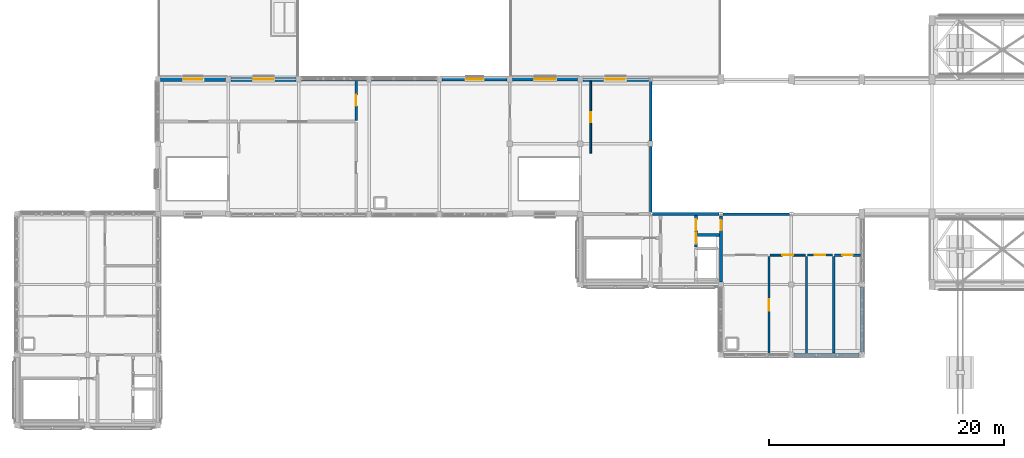
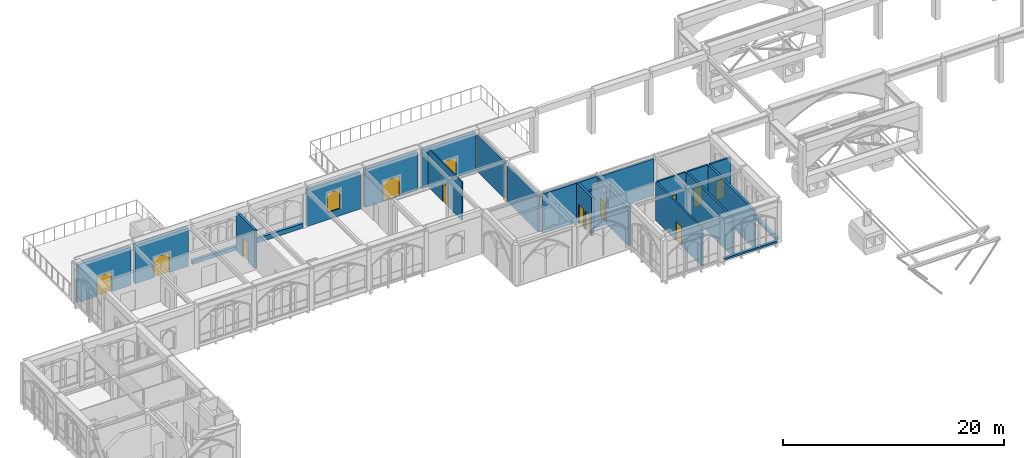
# One storey, part 42 of 59: 24 walls, 13 doors, 1 window, 14 openings.
"""IFC4 building model written with IfcOpenShell, lengths in metres."""

from ifc_helpers import new_model, si_unit, direction, frame, frame_2d, origin, place, context, subcontext, project, spatial, rectangle, extrude, material, layer, layer_set, type_object, element, fill, save


model = new_model("IFC4")

# Units and contexts
model_context = context("Model", 3, precision=1e-05, world=origin(), true_north=direction((0.0, 1.0)))
body_context = subcontext(model_context, "Body", "Model", "MODEL_VIEW")
ifc_project = project(units=[si_unit("LENGTHUNIT", "METRE"), si_unit("AREAUNIT", "SQUARE_METRE"), si_unit("VOLUMEUNIT", "CUBIC_METRE"), si_unit("PLANEANGLEUNIT", "RADIAN"), si_unit("MASSUNIT", "GRAM", prefix="KILO")], contexts=[model_context])

# Site, building, storey
site_placement = place(None, origin())
site = spatial("IfcSite", under=ifc_project, at=site_placement, CompositionType="ELEMENT")
building_placement = place(site_placement, origin())
building = spatial("IfcBuilding", under=site, at=building_placement, Name="Cumevento Cable Car Station", CompositionType="ELEMENT")
storey_placement = place(building_placement, frame((0.0, 0.0, 18.0)))
storey = spatial("IfcBuildingStorey", under=building, at=storey_placement, Name="L05", CompositionType="ELEMENT", Elevation=18.0)

# Wall, opening, window
ifc_material_1 = material(Name="Gnaisse Facoidal Stone Ashlar 85 MPa", Category="masonry")
ifc_layer_1 = layer(ifc_material_1, 0.280029296875)
ifc_layer_set_1 = layer_set([ifc_layer_1], Name="Gnaisse Facoidal Stone Ashlar 85 MPa")
wall_type_1 = type_object("IfcWallType", Name="Exterior Envelope Wall EW-280 280", PredefinedType="SOLIDWALL", material=ifc_layer_set_1)
wall_1_placement = place(storey_placement, frame((46.22509765625, 56.5, 0.0), z_axis=(0.0, 0.0, 1.0), x_axis=(1.0, 0.0, 0.0)))
wall_1 = element("IfcWall", 1, at=wall_1_placement, inside=storey, type_object=wall_type_1, Name="Exterior Wall EW-280 L05 #404", PredefinedType="SOLIDWALL", context=body_context, shape_type="SweptSolid", body=[
    extrude(rectangle(XDim=5.5498046875, YDim=0.280029296875, at=frame_2d((2.77490234375, 0.0))), origin(), (0.0, 0.0, 1.0), 4.093017578125),
])
opening_1_placement = place(wall_1_placement, frame((2.10009765625, 0.0, 0.800048828125)))
opening_1 = element("IfcOpeningElement", 2, at=opening_1_placement, cuts=wall_1, Name="Opening WN-L05-102", PredefinedType="OPENING", context=body_context, shape_type="SweptSolid", body=[
    extrude(rectangle(XDim=1.35009765625, YDim=2.14990234375, at=frame_2d((0.675048828125, 1.074951171875))), frame((0.0, 0.150146484375, 0.0), z_axis=(0.0, -1.0, 0.0), x_axis=(1.0, 0.0, 0.0)), (0.0, 0.0, 1.0), 0.300048828125),
])
ifc_material_2 = material(Name="Anodised Bronze Aluminium & Laminated Solar Glass", Category="aluminium")
window_type = type_object("IfcWindowType", Name="Lancet Window WN-06 1350x2150", PartitioningType="SINGLE_PANEL", PredefinedType="WINDOW", material=ifc_material_2)
window_placement = place(opening_1_placement, origin())
window = element("IfcWindow", 3, at=window_placement, inside=storey, type_object=window_type, Name="Lancet Window WN-L05-102 (WN-06)", OverallHeight=2.14990234375, OverallWidth=1.35009765625, PartitioningType="SINGLE_PANEL", PredefinedType="WINDOW", context=body_context, shape_type="SweptSolid", body=[
    extrude(rectangle(XDim=1.35009765625, YDim=2.14990234375, at=frame_2d((0.675048828125, 1.074951171875))), frame((0.0, 0.030029296875, 0.0), z_axis=(0.0, -1.0, 0.0), x_axis=(1.0, 0.0, 0.0)), (0.0, 0.0, 1.0), 0.06005859375),
])
fill(opening_1, window)

# Walls
ifc_material_3 = material(Name="Gnaisse Facoidal Stone Ashlar 85 MPa", Category="masonry")
ifc_layer_2 = layer(ifc_material_3, 0.294921875)
ifc_layer_set_2 = layer_set([ifc_layer_2], Name="Gnaisse Facoidal Stone Ashlar 85 MPa")
wall_type_2 = type_object("IfcWallType", Name="Exterior Envelope Wall EW-295 295", PredefinedType="SOLIDWALL", material=ifc_layer_set_2)
wall_2_placement = place(storey_placement, frame((81.77490234375, 33.0, 0.0), z_axis=(0.0, 0.0, 1.0), x_axis=(-1.0, 0.0, 0.0)))
element("IfcWall", 4, at=wall_2_placement, inside=storey, type_object=wall_type_2, Name="Exterior Sill Curb Wall EW-295 L05 #381", PredefinedType="SOLIDWALL", context=body_context, shape_type="SweptSolid", body=[
    extrude(rectangle(XDim=5.5498046875, YDim=0.294921875, at=frame_2d((2.77490234375, 0.0))), origin(), (0.0, 0.0, 1.0), 0.2099609375),
])
wall_3_placement = place(storey_placement, frame((82.0, 38.77490234375, 0.0), z_axis=(0.0, 0.0, 1.0), x_axis=(0.0, -1.0, 0.0)))
element("IfcWall", 5, at=wall_3_placement, inside=storey, type_object=wall_type_2, Name="Exterior Sill Curb Wall EW-295 L05 #383", PredefinedType="SOLIDWALL", context=body_context, shape_type="SweptSolid", body=[
    extrude(rectangle(XDim=5.5498046875, YDim=0.294921875, at=frame_2d((2.77490234375, 0.0))), origin(), (0.0, 0.0, 1.0), 0.31005859375),
])
wall_4_placement = place(storey_placement, frame((34.22509765625, 56.5, 0.0), z_axis=(0.0, 0.0, 1.0), x_axis=(1.0, 0.0, 0.0)))
element("IfcWall", 6, at=wall_4_placement, inside=storey, type_object=wall_type_2, Name="Exterior Sill Curb Wall EW-295 L05 #400", PredefinedType="SOLIDWALL", context=body_context, shape_type="SweptSolid", body=[
    extrude(rectangle(XDim=5.5498046875, YDim=0.294921875, at=frame_2d((2.77490234375, 0.0))), origin(), (0.0, 0.0, 1.0), 0.409912109375),
])
wall_5_placement = place(storey_placement, frame((40.22509765625, 56.5, 0.0), z_axis=(0.0, 0.0, 1.0), x_axis=(1.0, 0.0, 0.0)))
element("IfcWall", 7, at=wall_5_placement, inside=storey, type_object=wall_type_2, Name="Exterior Sill Curb Wall EW-295 L05 #402", PredefinedType="SOLIDWALL", context=body_context, shape_type="SweptSolid", body=[
    extrude(rectangle(XDim=5.5498046875, YDim=0.294921875, at=frame_2d((2.77490234375, 0.0))), origin(), (0.0, 0.0, 1.0), 0.52001953125),
])

# Wall, opening, door
ifc_material_4 = material(Name="Concrete C40/50", Category="concrete")
ifc_layer_3 = layer(ifc_material_4, 0.340087890625)
ifc_layer_set_3 = layer_set([ifc_layer_3], Name="Concrete C40/50")
wall_type_3 = type_object("IfcWallType", Name="Exterior Envelope Wall EW-340 340", PredefinedType="SOLIDWALL", material=ifc_layer_set_3)
wall_6_placement = place(storey_placement, frame((52.22509765625, 56.5, 0.0), z_axis=(0.0, 0.0, 1.0), x_axis=(1.0, 0.0, 0.0)))
wall_6 = element("IfcWall", 8, at=wall_6_placement, inside=storey, type_object=wall_type_3, Name="Exterior Wall EW-340 L05 #408", PredefinedType="SOLIDWALL", context=body_context, shape_type="SweptSolid", body=[
    extrude(rectangle(XDim=5.5498046875, YDim=0.340087890625, at=frame_2d((2.77490234375, 0.0))), origin(), (0.0, 0.0, 1.0), 4.194091796875),
])
opening_2_placement = place(wall_6_placement, frame((1.9150390625, 0.0, 0.0)))
opening_2 = element("IfcOpeningElement", 9, at=opening_2_placement, cuts=wall_6, Name="Opening DR-L05-T03", PredefinedType="OPENING", context=body_context, shape_type="SweptSolid", body=[
    extrude(rectangle(XDim=1.719970703125, YDim=2.239990234375, at=frame_2d((0.85986328125, 1.1201171875))), frame((0.0, 0.179931640625, 0.0), z_axis=(0.0, -1.0, 0.0), x_axis=(1.0, 0.0, 0.0)), (0.0, 0.0, 1.0), 0.360107421875),
])
ifc_material_5 = material(Name="Anodised Bronze Aluminium & Laminated Glass", Category="aluminium")
door_type_1 = type_object("IfcDoorType", Name="Exterior Door ED-06 1720x2240", OperationType="NOTDEFINED", PredefinedType="DOOR", material=ifc_material_5)
door_1_placement = place(opening_2_placement, origin())
door_1 = element("IfcDoor", 10, at=door_1_placement, inside=storey, type_object=door_type_1, Name="Ropeway Overlook Terrace Door W", OperationType="DOUBLE_DOOR_SINGLE_SWING", OverallHeight=2.239990234375, OverallWidth=1.719970703125, PredefinedType="DOOR", context=body_context, shape_type="SweptSolid", body=[
    extrude(rectangle(XDim=1.719970703125, YDim=2.239990234375, at=frame_2d((0.85986328125, 1.1201171875))), frame((0.0, 0.02490234375, 0.0), z_axis=(0.0, -1.0, 0.0), x_axis=(1.0, 0.0, 0.0)), (0.0, 0.0, 1.0), 0.050048828125),
])
fill(opening_2, door_1)

ifc_material_6 = material(Name="Concrete C40/50", Category="concrete")
ifc_layer_4 = layer(ifc_material_6, 0.35498046875)
ifc_layer_set_4 = layer_set([ifc_layer_4], Name="Concrete C40/50")
wall_type_4 = type_object("IfcWallType", Name="Exterior Envelope Wall EW-355 355", PredefinedType="SOLIDWALL", material=ifc_layer_set_4)
wall_7_placement = place(storey_placement, frame((22.22509765625, 56.5, 0.0), z_axis=(0.0, 0.0, 1.0), x_axis=(1.0, 0.0, 0.0)))
wall_7 = element("IfcWall", 11, at=wall_7_placement, inside=storey, type_object=wall_type_4, Name="Exterior Wall EW-355 L05 #396", PredefinedType="SOLIDWALL", context=body_context, shape_type="SweptSolid", body=[
    extrude(rectangle(XDim=5.5498046875, YDim=0.35498046875, at=frame_2d((2.77490234375, 0.0))), origin(), (0.0, 0.0, 1.0), 4.194091796875),
])
opening_3_placement = place(wall_7_placement, frame((1.9951171875, 0.0, 0.0)))
opening_3 = element("IfcOpeningElement", 12, at=opening_3_placement, cuts=wall_7, Name="Opening DR-L05-T01", PredefinedType="OPENING", context=body_context, shape_type="SweptSolid", body=[
    extrude(rectangle(XDim=1.56005859375, YDim=2.179931640625, at=frame_2d((0.780029296875, 1.08984375))), frame((0.0, 0.1875, 0.0), z_axis=(0.0, -1.0, 0.0), x_axis=(1.0, 0.0, 0.0)), (0.0, 0.0, 1.0), 0.375),
])
ifc_material_7 = material(Name="Anodised Bronze Aluminium & Laminated Glass", Category="aluminium")
door_type_2 = type_object("IfcDoorType", Name="Exterior Door ED-04 1560x2180", OperationType="NOTDEFINED", PredefinedType="DOOR", material=ifc_material_7)
door_2_placement = place(opening_3_placement, origin())
door_2 = element("IfcDoor", 13, at=door_2_placement, inside=storey, type_object=door_type_2, Name="Mirante Belvedere Dining Terrace Door W", OperationType="DOUBLE_DOOR_SINGLE_SWING", OverallHeight=2.179931640625, OverallWidth=1.56005859375, PredefinedType="DOOR", context=body_context, shape_type="SweptSolid", body=[
    extrude(rectangle(XDim=1.56005859375, YDim=2.179931640625, at=frame_2d((0.780029296875, 1.08984375))), frame((0.0, 0.02490234375, 0.0), z_axis=(0.0, -1.0, 0.0), x_axis=(1.0, 0.0, 0.0)), (0.0, 0.0, 1.0), 0.050048828125),
])
fill(opening_3, door_2)

wall_8_placement = place(storey_placement, frame((58.22509765625, 56.5, 0.0), z_axis=(0.0, 0.0, 1.0), x_axis=(1.0, 0.0, 0.0)))
wall_8 = element("IfcWall", 14, at=wall_8_placement, inside=storey, type_object=wall_type_4, Name="Exterior Wall EW-355 L05 #409", PredefinedType="SOLIDWALL", context=body_context, shape_type="SweptSolid", body=[
    extrude(rectangle(XDim=5.622314453125, YDim=0.35498046875, at=frame_2d((2.81103515625, 0.0))), origin(), (0.0, 0.0, 1.0), 4.23388671875),
])
opening_4_placement = place(wall_8_placement, frame((1.955078125, 0.0, 0.0)))
opening_4 = element("IfcOpeningElement", 15, at=opening_4_placement, cuts=wall_8, Name="Opening DR-L05-T04", PredefinedType="OPENING", context=body_context, shape_type="SweptSolid", body=[
    extrude(rectangle(XDim=1.639892578125, YDim=2.219970703125, at=frame_2d((0.81982421875, 1.10986328125))), frame((0.0, 0.1875, 0.0), z_axis=(0.0, -1.0, 0.0), x_axis=(1.0, 0.0, 0.0)), (0.0, 0.0, 1.0), 0.375),
])
ifc_material_8 = material(Name="Anodised Bronze Aluminium & Laminated Glass", Category="aluminium")
door_type_3 = type_object("IfcDoorType", Name="Exterior Door ED-05 1640x2220", OperationType="NOTDEFINED", PredefinedType="DOOR", material=ifc_material_8)
door_3_placement = place(opening_4_placement, origin())
door_3 = element("IfcDoor", 16, at=door_3_placement, inside=storey, type_object=door_type_3, Name="Ropeway Line Control Terrace Door E", OperationType="DOUBLE_DOOR_SINGLE_SWING", OverallHeight=2.219970703125, OverallWidth=1.639892578125, PredefinedType="DOOR", context=body_context, shape_type="SweptSolid", body=[
    extrude(rectangle(XDim=1.639892578125, YDim=2.219970703125, at=frame_2d((0.81982421875, 1.10986328125))), frame((0.0, 0.02490234375, 0.0), z_axis=(0.0, -1.0, 0.0), x_axis=(1.0, 0.0, 0.0)), (0.0, 0.0, 1.0), 0.050048828125),
])
fill(opening_4, door_3)

ifc_material_9 = material(Name="Gnaisse Facoidal Stone Ashlar 85 MPa", Category="masonry")
ifc_layer_5 = layer(ifc_material_9, 0.385009765625)
ifc_layer_set_5 = layer_set([ifc_layer_5], Name="Gnaisse Facoidal Stone Ashlar 85 MPa")
wall_type_5 = type_object("IfcWallType", Name="Exterior Envelope Wall EW-385 385", PredefinedType="SOLIDWALL", material=ifc_layer_set_5)
wall_9_placement = place(storey_placement, frame((28.22509765625, 56.5, 0.0), z_axis=(0.0, 0.0, 1.0), x_axis=(1.0, 0.0, 0.0)))
wall_9 = element("IfcWall", 17, at=wall_9_placement, inside=storey, type_object=wall_type_5, Name="Exterior Wall EW-385 L05 #398", PredefinedType="SOLIDWALL", context=body_context, shape_type="SweptSolid", body=[
    extrude(rectangle(XDim=5.5498046875, YDim=0.385009765625, at=frame_2d((2.77490234375, 0.0))), origin(), (0.0, 0.0, 1.0), 4.23388671875),
])
opening_5_placement = place(wall_9_placement, frame((1.955078125, 0.0, 0.0)))
opening_5 = element("IfcOpeningElement", 18, at=opening_5_placement, cuts=wall_9, Name="Opening DR-L05-T02", PredefinedType="OPENING", context=body_context, shape_type="SweptSolid", body=[
    extrude(rectangle(XDim=1.639892578125, YDim=2.219970703125, at=frame_2d((0.81982421875, 1.10986328125))), frame((0.0, 0.202392578125, 0.0), z_axis=(0.0, -1.0, 0.0), x_axis=(1.0, 0.0, 0.0)), (0.0, 0.0, 1.0), 0.405029296875),
])
door_4_placement = place(opening_5_placement, origin())
door_4 = element("IfcDoor", 19, at=door_4_placement, inside=storey, type_object=door_type_3, Name="Mirante Belvedere Dining Terrace Door E", OperationType="DOUBLE_DOOR_SINGLE_SWING", OverallHeight=2.219970703125, OverallWidth=1.639892578125, PredefinedType="DOOR", context=body_context, shape_type="SweptSolid", body=[
    extrude(rectangle(XDim=1.639892578125, YDim=2.219970703125, at=frame_2d((0.81982421875, 1.10986328125))), frame((0.0, 0.02490234375, 0.0), z_axis=(0.0, -1.0, 0.0), x_axis=(1.0, 0.0, 0.0)), (0.0, 0.0, 1.0), 0.050048828125),
])
fill(opening_5, door_4)

# Walls
ifc_material_10 = material(Name="Concrete C40/50", Category="concrete")
ifc_layer_6 = layer(ifc_material_10, 0.219970703125)
ifc_layer_set_6 = layer_set([ifc_layer_6], Name="Concrete C40/50")
wall_type_6 = type_object("IfcWallType", Name="Interior Partition FW-220 220", PredefinedType="SOLIDWALL", material=ifc_layer_set_6)
wall_10_placement = place(storey_placement, frame((64.0, 45.156005859375, 0.0), z_axis=(0.0, 0.0, 1.0), x_axis=(0.0, 1.0, 0.0)))
element("IfcWall", 20, at=wall_10_placement, inside=storey, type_object=wall_type_6, Name="Interior Wall FW-220 L05 #723", PredefinedType="SOLIDWALL", context=body_context, shape_type="SweptSolid", body=[
    extrude(rectangle(XDim=5.616943359375, YDim=0.219970703125, at=frame_2d((2.80859375, 0.0))), origin(), (0.0, 0.0, 1.0), 3.89208984375),
])
wall_11_placement = place(storey_placement, frame((64.0, 51.22705078125, 0.0), z_axis=(0.0, 0.0, 1.0), x_axis=(0.0, 1.0, 0.0)))
element("IfcWall", 21, at=wall_11_placement, inside=storey, type_object=wall_type_6, Name="Interior Wall FW-220 L05 #724", PredefinedType="SOLIDWALL", context=body_context, shape_type="SweptSolid", body=[
    extrude(rectangle(XDim=5.116943359375, YDim=0.219970703125, at=frame_2d((2.55859375, 0.0))), origin(), (0.0, 0.0, 1.0), 4.04296875),
])
wall_12_placement = place(storey_placement, frame((70.154541015625, 45.0, 0.0), z_axis=(0.0, 0.0, 1.0), x_axis=(1.0, 0.0, 0.0)))
element("IfcWall", 22, at=wall_12_placement, inside=storey, type_object=wall_type_6, Name="Interior Wall FW-220 L05 #725", PredefinedType="SOLIDWALL", context=body_context, shape_type="SweptSolid", body=[
    extrude(rectangle(XDim=5.69091796875, YDim=0.219970703125, at=frame_2d((2.845458984375, 0.0))), origin(), (0.0, 0.0, 1.0), 4.0869140625),
])

# Wall, opening, door
ifc_material_11 = material(Name="Gypsum Board & Insulated Stud Partition", Category="gypsum")
ifc_layer_7 = layer(ifc_material_11, 0.135009765625)
ifc_layer_set_7 = layer_set([ifc_layer_7], Name="Gypsum Board & Insulated Stud Partition")
wall_type_7 = type_object("IfcWallType", Name="Interior Partition PT-135 135", PredefinedType="PARTITIONING", material=ifc_layer_set_7)
wall_13_placement = place(storey_placement, frame((58.89990234375, 50.199951171875, 0.0), z_axis=(0.0, 0.0, 1.0), x_axis=(0.0, 1.0, 0.0)))
wall_13 = element("IfcWall", 23, at=wall_13_placement, inside=storey, type_object=wall_type_7, Name="Interior Wall PT-135 L05 #746", PredefinedType="PARTITIONING", context=body_context, shape_type="SweptSolid", body=[
    extrude(rectangle(XDim=6.12060546875, YDim=0.135009765625, at=frame_2d((3.060302734375, 0.0))), origin(), (0.0, 0.0, 1.0), 4.239990234375),
])
opening_6_placement = place(wall_13_placement, frame((2.630126953125, 0.0, 0.0)))
opening_6 = element("IfcOpeningElement", 24, at=opening_6_placement, cuts=wall_13, Name="Opening DR-L05-314", PredefinedType="OPENING", context=body_context, shape_type="SweptSolid", body=[
    extrude(rectangle(XDim=0.860107421875, YDim=2.10009765625, at=frame_2d((0.43017578125, 1.050048828125))), frame((0.0, 0.077392578125, 0.0), z_axis=(0.0, -1.0, 0.0), x_axis=(1.0, 0.0, 0.0)), (0.0, 0.0, 1.0), 0.155029296875),
])
ifc_material_12 = material(Name="Hardwood Ipe Timber Door Leaf", Category="wood")
door_type_4 = type_object("IfcDoorType", Name="Interior Door ID-01 860x2100", OperationType="NOTDEFINED", PredefinedType="DOOR", material=ifc_material_12)
door_5_placement = place(opening_6_placement, origin())
door_5 = element("IfcDoor", 25, at=door_5_placement, inside=storey, type_object=door_type_4, Name="Interior Door DR-L05-314 (ID-01)", OperationType="SINGLE_SWING_LEFT", OverallHeight=2.10009765625, OverallWidth=0.860107421875, PredefinedType="DOOR", context=body_context, shape_type="SweptSolid", body=[
    extrude(rectangle(XDim=0.860107421875, YDim=2.10009765625, at=frame_2d((0.43017578125, 1.050048828125))), frame((0.0, 0.02490234375, 0.0), z_axis=(0.0, -1.0, 0.0), x_axis=(1.0, 0.0, 0.0)), (0.0, 0.0, 1.0), 0.050048828125),
])
fill(opening_6, door_5)

ifc_material_13 = material(Name="Gypsum Board & Insulated Stud Partition", Category="gypsum")
ifc_layer_8 = layer(ifc_material_13, 0.1650390625)
ifc_layer_set_8 = layer_set([ifc_layer_8], Name="Gypsum Board & Insulated Stud Partition")
wall_type_8 = type_object("IfcWallType", Name="Interior Partition PT-165 165", PredefinedType="PARTITIONING", material=ifc_layer_set_8)
wall_14_placement = place(storey_placement, frame((74.199951171875, 41.5, 0.0), z_axis=(0.0, 0.0, 1.0), x_axis=(1.0, 0.0, 0.0)))
wall_14 = element("IfcWall", 26, at=wall_14_placement, inside=storey, type_object=wall_type_8, Name="Interior Wall PT-165 L05 #728", PredefinedType="PARTITIONING", context=body_context, shape_type="SweptSolid", body=[
    extrude(rectangle(XDim=3.0, YDim=0.1650390625, at=frame_2d((1.5, 0.0))), origin(), (0.0, 0.0, 1.0), 4.239990234375),
])
opening_7_placement = place(wall_14_placement, frame((1.030029296875, 0.0, 0.0)))
opening_7 = element("IfcOpeningElement", 27, at=opening_7_placement, cuts=wall_14, Name="Opening DR-L05-302", PredefinedType="OPENING", context=body_context, shape_type="SweptSolid", body=[
    extrude(rectangle(XDim=0.93994140625, YDim=2.10009765625, at=frame_2d((0.469970703125, 1.050048828125))), frame((0.0, 0.092529296875, 0.0), z_axis=(0.0, -1.0, 0.0), x_axis=(1.0, 0.0, 0.0)), (0.0, 0.0, 1.0), 0.18505859375),
])
ifc_material_14 = material(Name="Galvanised Painted Steel Fire Door", Category="steel")
door_type_5 = type_object("IfcDoorType", Name="Interior Door FD-08 940x2100", OperationType="NOTDEFINED", PredefinedType="DOOR", material=ifc_material_14)
door_6_placement = place(opening_7_placement, origin())
door_6 = element("IfcDoor", 28, at=door_6_placement, inside=storey, type_object=door_type_5, Name="Interior Door DR-L05-302 (FD-08)", OperationType="SINGLE_SWING_RIGHT", OverallHeight=2.10009765625, OverallWidth=0.93994140625, PredefinedType="DOOR", context=body_context, shape_type="SweptSolid", body=[
    extrude(rectangle(XDim=0.93994140625, YDim=2.10009765625, at=frame_2d((0.469970703125, 1.050048828125))), frame((0.0, 0.02490234375, 0.0), z_axis=(0.0, -1.0, 0.0), x_axis=(1.0, 0.0, 0.0)), (0.0, 0.0, 1.0), 0.050048828125),
])
fill(opening_7, door_6)

ifc_material_15 = material(Name="Moisture-Resistant Tile & Stud Partition", Category="gypsum")
ifc_layer_9 = layer(ifc_material_15, 0.175048828125)
ifc_layer_set_9 = layer_set([ifc_layer_9], Name="Moisture-Resistant Tile & Stud Partition")
wall_type_9 = type_object("IfcWallType", Name="Interior Partition PT-175 175", PredefinedType="PARTITIONING", material=ifc_layer_set_9)
wall_15_placement = place(storey_placement, frame((77.39990234375, 41.5, 0.0), z_axis=(0.0, 0.0, 1.0), x_axis=(1.0, 0.0, 0.0)))
wall_15 = element("IfcWall", 29, at=wall_15_placement, inside=storey, type_object=wall_type_9, Name="Interior Wall PT-175 L05 #729", PredefinedType="PARTITIONING", context=body_context, shape_type="SweptSolid", body=[
    extrude(rectangle(XDim=2.10009765625, YDim=0.175048828125, at=frame_2d((1.050048828125, 0.0))), origin(), (0.0, 0.0, 1.0), 4.239990234375),
])
opening_8_placement = place(wall_15_placement, frame((0.60009765625, 0.0, 0.0)))
opening_8 = element("IfcOpeningElement", 30, at=opening_8_placement, cuts=wall_15, Name="Opening DR-L05-303", PredefinedType="OPENING", context=body_context, shape_type="SweptSolid", body=[
    extrude(rectangle(XDim=0.89990234375, YDim=2.10009765625, at=frame_2d((0.449951171875, 1.050048828125))), frame((0.0, 0.097412109375, 0.0), z_axis=(0.0, -1.0, 0.0), x_axis=(1.0, 0.0, 0.0)), (0.0, 0.0, 1.0), 0.195068359375),
])
ifc_material_16 = material(Name="Hardwood Ipe Timber Door Leaf", Category="wood")
door_type_6 = type_object("IfcDoorType", Name="Interior Door ID-02 900x2100", OperationType="NOTDEFINED", PredefinedType="DOOR", material=ifc_material_16)
door_7_placement = place(opening_8_placement, origin())
door_7 = element("IfcDoor", 31, at=door_7_placement, inside=storey, type_object=door_type_6, Name="Interior Door DR-L05-303 (ID-02)", OperationType="SINGLE_SWING_LEFT", OverallHeight=2.10009765625, OverallWidth=0.89990234375, PredefinedType="DOOR", context=body_context, shape_type="SweptSolid", body=[
    extrude(rectangle(XDim=0.89990234375, YDim=2.10009765625, at=frame_2d((0.449951171875, 1.050048828125))), frame((0.0, 0.02490234375, 0.0), z_axis=(0.0, -1.0, 0.0), x_axis=(1.0, 0.0, 0.0)), (0.0, 0.0, 1.0), 0.050048828125),
])
fill(opening_8, door_7)

wall_16_placement = place(storey_placement, frame((74.10009765625, 33.08203125, 0.0), z_axis=(0.0, 0.0, 1.0), x_axis=(0.0, 1.0, 0.0)))
wall_16 = element("IfcWall", 32, at=wall_16_placement, inside=storey, type_object=wall_type_9, Name="Interior Wall PT-175 L05 #731", PredefinedType="PARTITIONING", context=body_context, shape_type="SweptSolid", body=[
    extrude(rectangle(XDim=8.31787109375, YDim=0.175048828125, at=frame_2d((4.158935546875, 0.0))), origin(), (0.0, 0.0, 1.0), 4.239990234375),
])
opening_9_placement = place(wall_16_placement, frame((3.6689453125, 0.0, 0.0)))
opening_9 = element("IfcOpeningElement", 33, at=opening_9_placement, cuts=wall_16, Name="Opening DR-L05-305", PredefinedType="OPENING", context=body_context, shape_type="SweptSolid", body=[
    extrude(rectangle(XDim=0.97998046875, YDim=2.139892578125, at=frame_2d((0.489990234375, 1.06982421875))), frame((0.0, 0.097412109375, 0.0), z_axis=(0.0, -1.0, 0.0), x_axis=(1.0, 0.0, 0.0)), (0.0, 0.0, 1.0), 0.195068359375),
])
ifc_material_17 = material(Name="Hardwood Ipe Timber Door Leaf", Category="wood")
door_type_7 = type_object("IfcDoorType", Name="Interior Door ID-04 980x2140", OperationType="NOTDEFINED", PredefinedType="DOOR", material=ifc_material_17)
door_8_placement = place(opening_9_placement, origin())
door_8 = element("IfcDoor", 34, at=door_8_placement, inside=storey, type_object=door_type_7, Name="Interior Door DR-L05-305 (ID-04)", OperationType="SINGLE_SWING_LEFT", OverallHeight=2.139892578125, OverallWidth=0.97998046875, PredefinedType="DOOR", context=body_context, shape_type="SweptSolid", body=[
    extrude(rectangle(XDim=0.97998046875, YDim=2.139892578125, at=frame_2d((0.489990234375, 1.06982421875))), frame((0.0, 0.02490234375, 0.0), z_axis=(0.0, -1.0, 0.0), x_axis=(1.0, 0.0, 0.0)), (0.0, 0.0, 1.0), 0.050048828125),
])
fill(opening_9, door_8)

ifc_material_18 = material(Name="Moisture-Resistant Tile & Stud Partition", Category="gypsum")
ifc_layer_10 = layer(ifc_material_18, 0.18505859375)
ifc_layer_set_10 = layer_set([ifc_layer_10], Name="Moisture-Resistant Tile & Stud Partition")
wall_type_10 = type_object("IfcWallType", Name="Interior Partition PT-185 185", PredefinedType="PARTITIONING", material=ifc_layer_set_10)
wall_17_placement = place(storey_placement, frame((79.699951171875, 41.5, 0.0), z_axis=(0.0, 0.0, 1.0), x_axis=(1.0, 0.0, 0.0)))
wall_17 = element("IfcWall", 35, at=wall_17_placement, inside=storey, type_object=wall_type_10, Name="Interior Wall PT-185 L05 #730", PredefinedType="PARTITIONING", context=body_context, shape_type="SweptSolid", body=[
    extrude(rectangle(XDim=2.2060546875, YDim=0.18505859375, at=frame_2d((1.10302734375, 0.0))), origin(), (0.0, 0.0, 1.0), 4.239990234375),
])
opening_10_placement = place(wall_17_placement, frame((0.653076171875, 0.0, 0.0)))
opening_10 = element("IfcOpeningElement", 36, at=opening_10_placement, cuts=wall_17, Name="Opening DR-L05-304", PredefinedType="OPENING", context=body_context, shape_type="SweptSolid", body=[
    extrude(rectangle(XDim=0.89990234375, YDim=2.10009765625, at=frame_2d((0.449951171875, 1.050048828125))), frame((0.0, 0.1025390625, 0.0), z_axis=(0.0, -1.0, 0.0), x_axis=(1.0, 0.0, 0.0)), (0.0, 0.0, 1.0), 0.205078125),
])
door_9_placement = place(opening_10_placement, origin())
door_9 = element("IfcDoor", 37, at=door_9_placement, inside=storey, type_object=door_type_6, Name="Interior Door DR-L05-304 (ID-02)", OperationType="SINGLE_SWING_RIGHT", OverallHeight=2.10009765625, OverallWidth=0.89990234375, PredefinedType="DOOR", context=body_context, shape_type="SweptSolid", body=[
    extrude(rectangle(XDim=0.89990234375, YDim=2.10009765625, at=frame_2d((0.449951171875, 1.050048828125))), frame((0.0, 0.02490234375, 0.0), z_axis=(0.0, -1.0, 0.0), x_axis=(1.0, 0.0, 0.0)), (0.0, 0.0, 1.0), 0.050048828125),
])
fill(opening_10, door_9)

# Walls
ifc_material_19 = material(Name="Acoustic Double-Stud Partition", Category="gypsum")
ifc_layer_11 = layer(ifc_material_19, 0.195068359375)
ifc_layer_set_11 = layer_set([ifc_layer_11], Name="Acoustic Double-Stud Partition")
wall_type_11 = type_object("IfcWallType", Name="Interior Partition PT-195 195", PredefinedType="PARTITIONING", material=ifc_layer_set_11)
wall_18_placement = place(storey_placement, frame((77.300048828125, 33.0849609375, 0.0), z_axis=(0.0, 0.0, 1.0), x_axis=(0.0, 1.0, 0.0)))
element("IfcWall", 38, at=wall_18_placement, inside=storey, type_object=wall_type_11, Name="Interior Wall PT-195 L05 #732", PredefinedType="PARTITIONING", context=body_context, shape_type="SweptSolid", body=[
    extrude(rectangle(XDim=8.31494140625, YDim=0.195068359375, at=frame_2d((4.157470703125, 0.0))), origin(), (0.0, 0.0, 1.0), 4.239990234375),
])
ifc_material_20 = material(Name="Acoustic Double-Stud Partition", Category="gypsum")
ifc_layer_12 = layer(ifc_material_20, 0.218017578125)
ifc_layer_set_12 = layer_set([ifc_layer_12], Name="Acoustic Double-Stud Partition")
wall_type_12 = type_object("IfcWallType", Name="Interior Partition PT-218 218", PredefinedType="PARTITIONING", material=ifc_layer_set_12)
wall_19_placement = place(storey_placement, frame((79.60009765625, 33.0849609375, 0.0), z_axis=(0.0, 0.0, 1.0), x_axis=(0.0, 1.0, 0.0)))
element("IfcWall", 39, at=wall_19_placement, inside=storey, type_object=wall_type_12, Name="Interior Wall PT-218 L05 #733", PredefinedType="PARTITIONING", context=body_context, shape_type="SweptSolid", body=[
    extrude(rectangle(XDim=8.31494140625, YDim=0.218017578125, at=frame_2d((4.157470703125, 0.0))), origin(), (0.0, 0.0, 1.0), 4.239990234375),
])

# Wall, opening, door
ifc_material_21 = material(Name="Acoustic Masonry Block Partition", Category="masonry")
ifc_layer_13 = layer(ifc_material_21, 0.23193359375)
ifc_layer_set_13 = layer_set([ifc_layer_13], Name="Acoustic Masonry Block Partition")
wall_type_13 = type_object("IfcWallType", Name="Interior Partition PT-232 232", PredefinedType="PARTITIONING", material=ifc_layer_set_13)
wall_20_placement = place(storey_placement, frame((38.89990234375, 53.0, 0.0), z_axis=(0.0, 0.0, 1.0), x_axis=(0.0, 1.0, 0.0)))
wall_20 = element("IfcWall", 40, at=wall_20_placement, inside=storey, type_object=wall_type_13, Name="Interior Wall PT-232 L05 #742", PredefinedType="PARTITIONING", context=body_context, shape_type="SweptSolid", body=[
    extrude(rectangle(XDim=3.37890625, YDim=0.23193359375, at=frame_2d((1.689453125, 0.0))), origin(), (0.0, 0.0, 1.0), 4.239990234375),
])
opening_11_placement = place(wall_20_placement, frame((1.219482421875, 0.0, 0.0)))
opening_11 = element("IfcOpeningElement", 41, at=opening_11_placement, cuts=wall_20, Name="Opening DR-L05-311", PredefinedType="OPENING", context=body_context, shape_type="SweptSolid", body=[
    extrude(rectangle(XDim=0.93994140625, YDim=2.10009765625, at=frame_2d((0.469970703125, 1.050048828125))), frame((0.0, 0.1259765625, 0.0), z_axis=(0.0, -1.0, 0.0), x_axis=(1.0, 0.0, 0.0)), (0.0, 0.0, 1.0), 0.251953125),
])
door_10_placement = place(opening_11_placement, origin())
door_10 = element("IfcDoor", 42, at=door_10_placement, inside=storey, type_object=door_type_5, Name="Interior Door DR-L05-311 (FD-08)", OperationType="SINGLE_SWING_LEFT", OverallHeight=2.10009765625, OverallWidth=0.93994140625, PredefinedType="DOOR", context=body_context, shape_type="SweptSolid", body=[
    extrude(rectangle(XDim=0.93994140625, YDim=2.10009765625, at=frame_2d((0.469970703125, 1.050048828125))), frame((0.0, 0.02490234375, 0.0), z_axis=(0.0, -1.0, 0.0), x_axis=(1.0, 0.0, 0.0)), (0.0, 0.0, 1.0), 0.050048828125),
])
fill(opening_11, door_10)

# Wall
ifc_material_22 = material(Name="Concrete C40/50", Category="concrete")
ifc_layer_14 = layer(ifc_material_22, 0.22998046875)
ifc_layer_set_14 = layer_set([ifc_layer_14], Name="Concrete C40/50")
wall_type_14 = type_object("IfcWallType", Name="Interior Shear Wall CW-230 230", PredefinedType="SHEAR", material=ifc_layer_set_14)
wall_21_placement = place(storey_placement, frame((68.0048828125, 43.219970703125, 0.0), z_axis=(0.0, 0.0, 1.0), x_axis=(1.0, 0.0, 0.0)))
element("IfcWall", 43, at=wall_21_placement, inside=storey, type_object=wall_type_14, Name="Interior Wall CW-230 L05 #212", PredefinedType="SHEAR", context=body_context, shape_type="SweptSolid", body=[
    extrude(rectangle(XDim=1.857666015625, YDim=0.22998046875, at=frame_2d((0.9287109375, 0.0))), origin(), (0.0, 0.0, 1.0), 4.239990234375),
])

# Wall, openings, doors
ifc_material_23 = material(Name="Concrete C40/50", Category="concrete")
ifc_layer_15 = layer(ifc_material_23, 0.25)
ifc_layer_set_15 = layer_set([ifc_layer_15], Name="Concrete C40/50")
wall_type_15 = type_object("IfcWallType", Name="Interior Shear Wall CW-250 250", PredefinedType="SHEAR", material=ifc_layer_set_15)
wall_22_placement = place(storey_placement, frame((67.8798828125, 42.199951171875, 0.0), z_axis=(0.0, 0.0, 1.0), x_axis=(0.0, 1.0, 0.0)))
wall_22 = element("IfcWall", 44, at=wall_22_placement, inside=storey, type_object=wall_type_15, Name="Interior Wall CW-250 L05 #211", PredefinedType="SHEAR", context=body_context, shape_type="SweptSolid", body=[
    extrude(rectangle(XDim=2.66259765625, YDim=0.25, at=frame_2d((1.331298828125, 0.0))), origin(), (0.0, 0.0, 1.0), 4.239990234375),
])
opening_12_placement = place(wall_22_placement, frame((0.280029296875, 0.0, 0.0)))
opening_12 = element("IfcOpeningElement", 45, at=opening_12_placement, cuts=wall_22, Name="Opening DR-L05-042", PredefinedType="OPENING", context=body_context, shape_type="SweptSolid", body=[
    extrude(rectangle(XDim=0.8798828125, YDim=2.080078125, at=frame_2d((0.43994140625, 1.0400390625))), frame((0.0, 0.135009765625, 0.0), z_axis=(0.0, -1.0, 0.0), x_axis=(1.0, 0.0, 0.0)), (0.0, 0.0, 1.0), 0.27001953125),
])
opening_13_placement = place(wall_22_placement, frame((1.39990234375, 0.0, 0.0)))
opening_13 = element("IfcOpeningElement", 46, at=opening_13_placement, cuts=wall_22, Name="Opening DR-L05-043", PredefinedType="OPENING", context=body_context, shape_type="SweptSolid", body=[
    extrude(rectangle(XDim=0.9599609375, YDim=2.1201171875, at=frame_2d((0.47998046875, 1.06005859375))), frame((0.0, 0.135009765625, 0.0), z_axis=(0.0, -1.0, 0.0), x_axis=(1.0, 0.0, 0.0)), (0.0, 0.0, 1.0), 0.27001953125),
])
ifc_material_24 = material(Name="Galvanised Painted Steel Fire Door", Category="steel")
door_type_8 = type_object("IfcDoorType", Name="Interior Door FD-01 960x2120", OperationType="NOTDEFINED", PredefinedType="DOOR", material=ifc_material_24)
door_11_placement = place(opening_13_placement, origin())
door_11 = element("IfcDoor", 47, at=door_11_placement, inside=storey, type_object=door_type_8, Name="East Vestibule Lobby Door CORE1 L05", OperationType="SINGLE_SWING_RIGHT", OverallHeight=2.1201171875, OverallWidth=0.9599609375, PredefinedType="DOOR", context=body_context, shape_type="SweptSolid", body=[
    extrude(rectangle(XDim=0.9599609375, YDim=2.1201171875, at=frame_2d((0.47998046875, 1.06005859375))), frame((0.0, 0.02490234375, 0.0), z_axis=(0.0, -1.0, 0.0), x_axis=(1.0, 0.0, 0.0)), (0.0, 0.0, 1.0), 0.050048828125),
])
fill(opening_13, door_11)
ifc_material_25 = material(Name="Galvanised Painted Steel Fire Door", Category="steel")
door_type_9 = type_object("IfcDoorType", Name="Interior Door FD-07 880x2080", OperationType="NOTDEFINED", PredefinedType="DOOR", material=ifc_material_25)
door_12_placement = place(opening_12_placement, origin())
door_12 = element("IfcDoor", 48, at=door_12_placement, inside=storey, type_object=door_type_9, Name="MEP Riser Access Door CORE1 L05", OperationType="SINGLE_SWING_LEFT", OverallHeight=2.080078125, OverallWidth=0.8798828125, PredefinedType="DOOR", context=body_context, shape_type="SweptSolid", body=[
    extrude(rectangle(XDim=0.8798828125, YDim=2.080078125, at=frame_2d((0.43994140625, 1.0400390625))), frame((0.0, 0.02490234375, 0.0), z_axis=(0.0, -1.0, 0.0), x_axis=(1.0, 0.0, 0.0)), (0.0, 0.0, 1.0), 0.050048828125),
])
fill(opening_12, door_12)

# Wall
ifc_material_26 = material(Name="Concrete C40/50", Category="concrete")
ifc_layer_16 = layer(ifc_material_26, 0.27490234375)
ifc_layer_set_16 = layer_set([ifc_layer_16], Name="Concrete C40/50")
wall_type_16 = type_object("IfcWallType", Name="Interior Shear Wall CW-275 275", PredefinedType="SHEAR", material=ifc_layer_set_16)
wall_23_placement = place(storey_placement, frame((64.152587890625, 45.0, 0.0), z_axis=(0.0, 0.0, 1.0), x_axis=(1.0, 0.0, 0.0)))
element("IfcWall", 49, at=wall_23_placement, inside=storey, type_object=wall_type_16, Name="Interior Wall CW-275 L05 #200", PredefinedType="SHEAR", context=body_context, shape_type="SweptSolid", body=[
    extrude(rectangle(XDim=5.69482421875, YDim=0.27490234375, at=frame_2d((2.847412109375, 0.0))), origin(), (0.0, 0.0, 1.0), 4.239990234375),
])

# Wall, opening, door
wall_24_placement = place(storey_placement, frame((70.0, 39.22509765625, 0.0), z_axis=(0.0, 0.0, 1.0), x_axis=(0.0, 1.0, 0.0)))
wall_24 = element("IfcWall", 50, at=wall_24_placement, inside=storey, type_object=wall_type_16, Name="Interior Wall CW-275 L05 #201", PredefinedType="SHEAR", context=body_context, shape_type="SweptSolid", body=[
    extrude(rectangle(XDim=5.620849609375, YDim=0.27490234375, at=frame_2d((2.810546875, 0.0))), origin(), (0.0, 0.0, 1.0), 4.239990234375),
])
opening_14_placement = place(wall_24_placement, frame((4.385009765625, 0.0, 0.0)))
opening_14 = element("IfcOpeningElement", 51, at=opening_14_placement, cuts=wall_24, Name="Opening DR-L05-037", PredefinedType="OPENING", context=body_context, shape_type="SweptSolid", body=[
    extrude(rectangle(XDim=0.8798828125, YDim=2.080078125, at=frame_2d((0.43994140625, 1.0400390625))), frame((0.0, 0.1474609375, 0.0), z_axis=(0.0, -1.0, 0.0), x_axis=(1.0, 0.0, 0.0)), (0.0, 0.0, 1.0), 0.294921875),
])
door_13_placement = place(opening_14_placement, origin())
door_13 = element("IfcDoor", 52, at=door_13_placement, inside=storey, type_object=door_type_9, Name="Core CORE1 E_vest Fire Door L05", OperationType="SINGLE_SWING_LEFT", OverallHeight=2.080078125, OverallWidth=0.8798828125, PredefinedType="DOOR", context=body_context, shape_type="SweptSolid", body=[
    extrude(rectangle(XDim=0.8798828125, YDim=2.080078125, at=frame_2d((0.43994140625, 1.0400390625))), frame((0.0, 0.02490234375, 0.0), z_axis=(0.0, -1.0, 0.0), x_axis=(1.0, 0.0, 0.0)), (0.0, 0.0, 1.0), 0.050048828125),
])
fill(opening_14, door_13)

save(model, "model.ifc")
